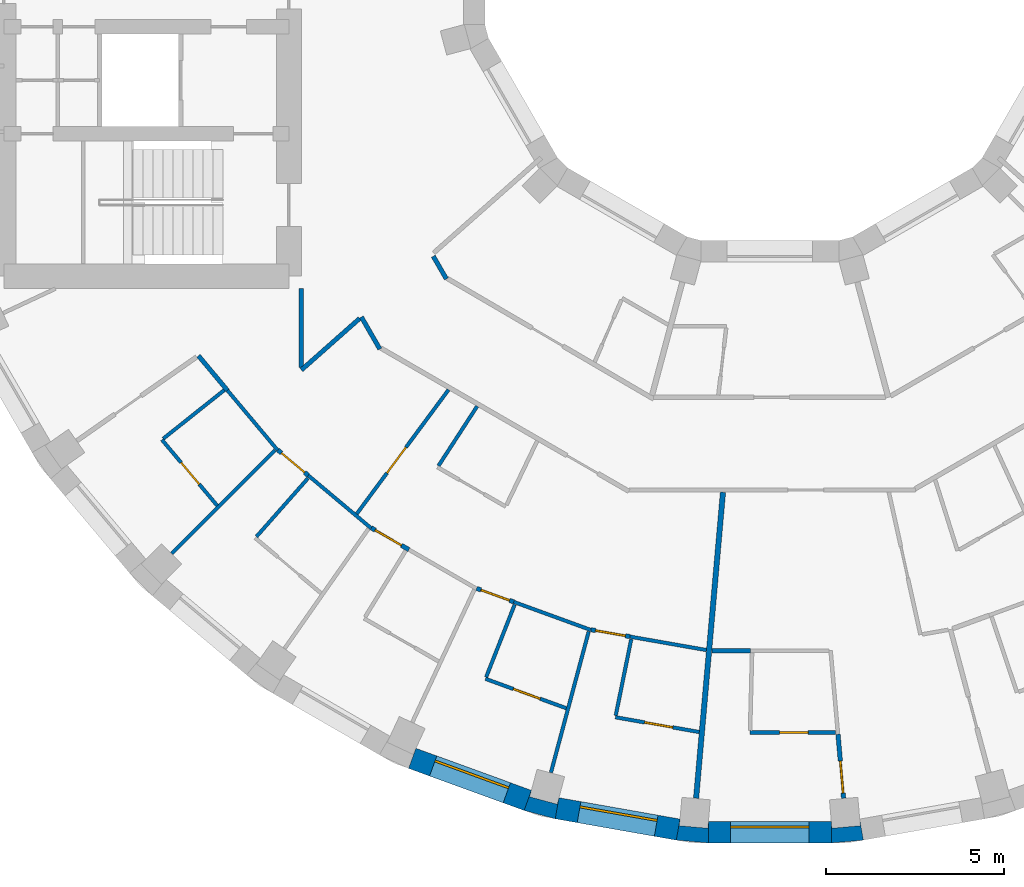
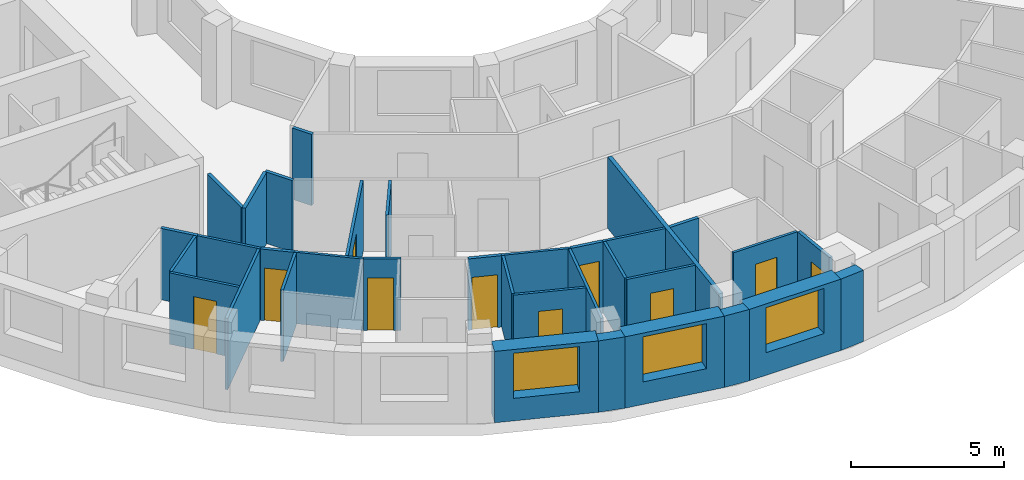
# One storey, part 4 of 14: 34 walls, 10 doors, 3 windows, 13 openings.
"""IFC4 building model written with IfcOpenShell, lengths in metres."""

from ifc_helpers import new_model, si_unit, direction, frame, frame_2d, origin, place, context, subcontext, project, spatial, polyline, rectangle, outline, extrude, material, layer, layer_set, type_object, element, fill, save


model = new_model("IFC4")

# Units and contexts
model_context = context("Model", 3, precision=1e-05, world=origin(), true_north=direction((0.0, 1.0)))
body_context = subcontext(model_context, "Body", "Model", "MODEL_VIEW")
ifc_project = project(units=[si_unit("LENGTHUNIT", "METRE"), si_unit("AREAUNIT", "SQUARE_METRE"), si_unit("VOLUMEUNIT", "CUBIC_METRE"), si_unit("PLANEANGLEUNIT", "RADIAN"), si_unit("MASSUNIT", "GRAM", prefix="KILO")], contexts=[model_context])

# Site, building, storey
site_placement = place(None, origin())
site = spatial("IfcSite", under=ifc_project, at=site_placement, CompositionType="ELEMENT")
building_placement = place(site_placement, origin())
building = spatial("IfcBuilding", under=site, at=building_placement, Name="Saqina Gate Tower", CompositionType="ELEMENT")
storey_placement = place(building_placement, frame((0.0, 0.0, 213.60009765625)))
storey = spatial("IfcBuildingStorey", under=building, at=storey_placement, Name="L61", CompositionType="ELEMENT", Elevation=213.60009765625)

# Walls
ifc_material_1 = material(Name="Brick masonry (buff)", Category="masonry")
wall_type_1 = type_object("IfcWallType", Name="BRICK PIER COPING BUFF", PredefinedType="SOLIDWALL", material=ifc_material_1)
wall_1_placement = place(storey_placement, origin())
element("IfcWall", 1, at=wall_1_placement, inside=storey, type_object=wall_type_1, Name="Pier cap L61 column 26", PredefinedType="SOLIDWALL", context=body_context, shape_type="SweptSolid", body=[
    extrude(outline(polyline([(-6.0234375, -24.22705078125), (-5.919189453125, -23.635986328125), (-5.967529296875, -23.81689453125), (-6.740478515625, -23.610107421875), (-6.69189453125, -23.428955078125), (-6.897216796875, -23.992919921875), (-6.0234375, -24.22705078125)])), origin(), (0.0, 0.0, 1.0), 2.849853515625),
])
wall_2_placement = place(storey_placement, origin())
element("IfcWall", 2, at=wall_2_placement, inside=storey, type_object=wall_type_1, Name="Pier cap L61 column 27", PredefinedType="SOLIDWALL", context=body_context, shape_type="SweptSolid", body=[
    extrude(outline(polyline([(-2.6259765625, -24.825927734375), (-1.724853515625, -24.90478515625), (-1.724853515625, -24.304931640625), (-1.7412109375, -24.491455078125), (-2.5380859375, -24.421630859375), (-2.521728515625, -24.235107421875), (-2.6259765625, -24.825927734375)])), origin(), (0.0, 0.0, 1.0), 2.849853515625),
])
wall_3_placement = place(storey_placement, origin())
element("IfcWall", 3, at=wall_3_placement, inside=storey, type_object=wall_type_1, Name="Pier cap L61 column 28", PredefinedType="SOLIDWALL", context=body_context, shape_type="SweptSolid", body=[
    extrude(outline(polyline([(1.724853515625, -24.90478515625), (2.6259765625, -24.825927734375), (2.521728515625, -24.235107421875), (2.5380859375, -24.421630859375), (1.7412109375, -24.491455078125), (1.724853515625, -24.304931640625), (1.724853515625, -24.90478515625)])), origin(), (0.0, 0.0, 1.0), 2.849853515625),
])

# Wall, opening, window
ifc_material_2 = material(Name="Brick masonry (buff)", Category="masonry")
ifc_layer_1 = layer(ifc_material_2, 0.60009765625)
ifc_layer_set_1 = layer_set([ifc_layer_1], Name="FW-BRICK-BUFF")
wall_type_2 = type_object("IfcWallType", Name="FW-BRICK-BUFF", PredefinedType="SOLIDWALL", material=ifc_layer_set_1)
wall_4_placement = place(storey_placement, frame((-10.0361328125, -22.531005859375, 0.0), z_axis=(0.0, 0.0, 1.0), x_axis=(0.93968799822, -0.342032843455, 0.0)))
wall_4 = element("IfcWall", 4, at=wall_4_placement, inside=storey, type_object=wall_type_2, Name="Facade wall L61 facet 25", PredefinedType="SOLIDWALL", context=body_context, shape_type="SweptSolid", body=[
    extrude(rectangle(XDim=3.44970703125, YDim=0.60009765625, at=frame_2d((1.724853515625, 0.0))), origin(), (0.0, 0.0, 1.0), 2.849853515625),
])
opening_1_placement = place(wall_4_placement, frame((0.625, 0.0, 0.89990234375)))
opening_1 = element("IfcOpeningElement", 5, at=opening_1_placement, cuts=wall_4, Name="Opening G18-W14", PredefinedType="OPENING", context=body_context, shape_type="SweptSolid", body=[
    extrude(rectangle(XDim=2.199951171875, YDim=1.800048828125, at=frame_2d((1.10009765625, 0.89990234375))), frame((0.0, 0.31201171875, 0.0), z_axis=(0.0, -1.0, 0.0), x_axis=(1.0, 0.0, 0.0)), (0.0, 0.0, 1.0), 0.6240234375),
])
ifc_material_3 = material(Name="Aluminium glazing", Category="aluminium")
window_type = type_object("IfcWindowType", Name="WN-C", PartitioningType="SINGLE_PANEL", PredefinedType="WINDOW", material=ifc_material_3)
window_1_placement = place(opening_1_placement, origin())
window_1 = element("IfcWindow", 6, at=window_1_placement, inside=storey, type_object=window_type, Name="Window L61 facet 25", OverallHeight=1.800048828125, OverallWidth=2.199951171875, PartitioningType="SINGLE_PANEL", PredefinedType="WINDOW", context=body_context, shape_type="SweptSolid", body=[
    extrude(rectangle(XDim=2.199951171875, YDim=1.800048828125, at=frame_2d((1.10009765625, 0.89990234375))), frame((0.0, 0.179931640625, 0.0), z_axis=(0.0, -1.0, 0.0), x_axis=(1.0, 0.0, 0.0)), (0.0, 0.0, 1.0), 0.06005859375),
])
fill(opening_1, window_1)

wall_5_placement = place(storey_placement, frame((-5.97119140625, -23.931640625, 0.0), z_axis=(0.0, 0.0, 1.0), x_axis=(0.984814892183, -0.173607684551, 0.0)))
wall_5 = element("IfcWall", 7, at=wall_5_placement, inside=storey, type_object=wall_type_2, Name="Facade wall L61 facet 26", PredefinedType="SOLIDWALL", context=body_context, shape_type="SweptSolid", body=[
    extrude(rectangle(XDim=3.44970703125, YDim=0.60009765625, at=frame_2d((1.724853515625, 0.0))), origin(), (0.0, 0.0, 1.0), 2.849853515625),
])
opening_2_placement = place(wall_5_placement, frame((0.625, 0.0, 0.89990234375)))
opening_2 = element("IfcOpeningElement", 8, at=opening_2_placement, cuts=wall_5, Name="Opening G18-W15", PredefinedType="OPENING", context=body_context, shape_type="SweptSolid", body=[
    extrude(rectangle(XDim=2.199951171875, YDim=1.800048828125, at=frame_2d((1.10009765625, 0.89990234375))), frame((0.0, 0.31201171875, 0.0), z_axis=(0.0, -1.0, 0.0), x_axis=(1.0, 0.0, 0.0)), (0.0, 0.0, 1.0), 0.6240234375),
])
window_2_placement = place(opening_2_placement, origin())
window_2 = element("IfcWindow", 9, at=window_2_placement, inside=storey, type_object=window_type, Name="Window L61 facet 26", OverallHeight=1.800048828125, OverallWidth=2.199951171875, PartitioningType="SINGLE_PANEL", PredefinedType="WINDOW", context=body_context, shape_type="SweptSolid", body=[
    extrude(rectangle(XDim=2.199951171875, YDim=1.800048828125, at=frame_2d((1.10009765625, 0.89990234375))), frame((0.0, 0.179931640625, 0.0), z_axis=(0.0, -1.0, 0.0), x_axis=(1.0, 0.0, 0.0)), (0.0, 0.0, 1.0), 0.06005859375),
])
fill(opening_2, window_2)

wall_6_placement = place(storey_placement, frame((-1.724853515625, -24.60498046875, 0.0), z_axis=(0.0, 0.0, 1.0), x_axis=(1.0, 0.0, 0.0)))
wall_6 = element("IfcWall", 10, at=wall_6_placement, inside=storey, type_object=wall_type_2, Name="Facade wall L61 facet 27", PredefinedType="SOLIDWALL", context=body_context, shape_type="SweptSolid", body=[
    extrude(rectangle(XDim=3.44970703125, YDim=0.60009765625, at=frame_2d((1.724853515625, 0.0))), origin(), (0.0, 0.0, 1.0), 2.849853515625),
])
opening_3_placement = place(wall_6_placement, frame((0.625, 0.0, 0.89990234375)))
opening_3 = element("IfcOpeningElement", 11, at=opening_3_placement, cuts=wall_6, Name="Opening G18-W16", PredefinedType="OPENING", context=body_context, shape_type="SweptSolid", body=[
    extrude(rectangle(XDim=2.199951171875, YDim=1.800048828125, at=frame_2d((1.10009765625, 0.89990234375))), frame((0.0, 0.31201171875, 0.0), z_axis=(0.0, -1.0, 0.0), x_axis=(1.0, 0.0, 0.0)), (0.0, 0.0, 1.0), 0.6240234375),
])
window_3_placement = place(opening_3_placement, origin())
window_3 = element("IfcWindow", 12, at=window_3_placement, inside=storey, type_object=window_type, Name="Window L61 facet 27", OverallHeight=1.800048828125, OverallWidth=2.199951171875, PartitioningType="SINGLE_PANEL", PredefinedType="WINDOW", context=body_context, shape_type="SweptSolid", body=[
    extrude(rectangle(XDim=2.199951171875, YDim=1.800048828125, at=frame_2d((1.10009765625, 0.89990234375))), frame((0.0, 0.179931640625, 0.0), z_axis=(0.0, -1.0, 0.0), x_axis=(1.0, 0.0, 0.0)), (0.0, 0.0, 1.0), 0.06005859375),
])
fill(opening_3, window_3)

# Wall, opening, door
ifc_material_4 = material(Name="Gypsum board on steel studs, 100 mm", Category="steel")
ifc_layer_2 = layer(ifc_material_4, 0.10009765625)
ifc_layer_set_2 = layer_set([ifc_layer_2], Name="PARTITION 100")
wall_type_3 = type_object("IfcWallType", Name="PARTITION 100", PredefinedType="PARTITIONING", material=ifc_layer_set_2)
wall_7_placement = place(storey_placement, frame((-17.06103515625, -13.589111328125, 0.0), z_axis=(0.0, 0.0, 1.0), x_axis=(0.642786493814, -0.766045379446, 0.0)))
wall_7 = element("IfcWall", 13, at=wall_7_placement, inside=storey, type_object=wall_type_3, Name="PARTITION PW3-15", PredefinedType="PARTITIONING", context=body_context, shape_type="SweptSolid", body=[
    extrude(rectangle(XDim=2.41455078125, YDim=0.10009765625, at=frame_2d((1.207275390625, 0.0))), origin(), (0.0, 0.0, 1.0), 2.849853515625),
])
opening_4_placement = place(wall_7_placement, frame((0.832275390625, 0.0, 0.0)))
opening_4 = element("IfcOpeningElement", 14, at=opening_4_placement, cuts=wall_7, Name="Opening G18-D27", PredefinedType="OPENING", context=body_context, shape_type="SweptSolid", body=[
    extrude(rectangle(XDim=0.800048828125, YDim=2.10009765625, at=frame_2d((0.39990234375, 1.050048828125))), frame((0.0, 0.06201171875, 0.0), z_axis=(0.0, -1.0, 0.0), x_axis=(1.0, 0.0, 0.0)), (0.0, 0.0, 1.0), 0.1240234375),
])
ifc_material_5 = material(Name="Timber door leaf, 800 mm", Category="wood")
door_type_1 = type_object("IfcDoorType", Name="DOOR 800 TIMBER", OperationType="SINGLE_SWING_LEFT", PredefinedType="DOOR", material=ifc_material_5)
door_1_placement = place(opening_4_placement, frame((0.800048828125, 0.0, 0.0), z_axis=(0.0, 0.0, 1.0), x_axis=(-1.0, 0.0, 0.0)))
door_1 = element("IfcDoor", 15, at=door_1_placement, inside=storey, type_object=door_type_1, Name="DOOR G18-D27", OperationType="SINGLE_SWING_LEFT", OverallHeight=2.10009765625, OverallWidth=0.800048828125, PredefinedType="DOOR", context=body_context, shape_type="SweptSolid", body=[
    extrude(rectangle(XDim=0.800048828125, YDim=2.10009765625, at=frame_2d((0.39990234375, 1.050048828125))), frame((0.0, 0.02490234375, 0.0), z_axis=(0.0, -1.0, 0.0), x_axis=(1.0, 0.0, 0.0)), (0.0, 0.0, 1.0), 0.050048828125),
])
fill(opening_4, door_1)

# Walls
wall_8_placement = place(storey_placement, frame((-15.221923828125, -12.203857421875, 0.0), z_axis=(0.0, 0.0, 1.0), x_axis=(0.642719704672, -0.766101417063, 0.0)))
element("IfcWall", 16, at=wall_8_placement, inside=storey, type_object=wall_type_3, Name="PARTITION PW3-16", PredefinedType="PARTITIONING", context=body_context, shape_type="SweptSolid", body=[
    extrude(rectangle(XDim=2.1943359375, YDim=0.10009765625, at=frame_2d((1.09716796875, 0.0))), origin(), (0.0, 0.0, 1.0), 2.849853515625),
])
wall_9_placement = place(storey_placement, frame((-12.957275390625, -14.5888671875, 0.0), z_axis=(0.0, 0.0, 1.0), x_axis=(0.766099024104, -0.642722556993, 0.0)))
element("IfcWall", 17, at=wall_9_placement, inside=storey, type_object=wall_type_3, Name="PARTITION PW3-22", PredefinedType="PARTITIONING", context=body_context, shape_type="SweptSolid", body=[
    extrude(rectangle(XDim=2.305419921875, YDim=0.10009765625, at=frame_2d((1.15283203125, 0.0))), origin(), (0.0, 0.0, 1.0), 2.849853515625),
])

# Wall, opening, door
wall_10_placement = place(storey_placement, frame((-7.98095703125, -20.299072265625, 0.0), z_axis=(0.0, 0.0, 1.0), x_axis=(0.939692991858, -0.342019123812, 0.0)))
wall_10 = element("IfcWall", 18, at=wall_10_placement, inside=storey, type_object=wall_type_3, Name="PARTITION PW3-34", PredefinedType="PARTITIONING", context=body_context, shape_type="SweptSolid", body=[
    extrude(rectangle(XDim=2.4140625, YDim=0.10009765625, at=frame_2d((1.20703125, 0.0))), origin(), (0.0, 0.0, 1.0), 2.849853515625),
])
opening_5_placement = place(wall_10_placement, frame((0.832275390625, 0.0, 0.0)))
opening_5 = element("IfcOpeningElement", 19, at=opening_5_placement, cuts=wall_10, Name="Opening G18-D38", PredefinedType="OPENING", context=body_context, shape_type="SweptSolid", body=[
    extrude(rectangle(XDim=0.800048828125, YDim=2.10009765625, at=frame_2d((0.39990234375, 1.050048828125))), frame((0.0, 0.06201171875, 0.0), z_axis=(0.0, -1.0, 0.0), x_axis=(1.0, 0.0, 0.0)), (0.0, 0.0, 1.0), 0.1240234375),
])
door_2_placement = place(opening_5_placement, frame((0.800048828125, 0.0, 0.0), z_axis=(0.0, 0.0, 1.0), x_axis=(-1.0, 0.0, 0.0)))
door_2 = element("IfcDoor", 20, at=door_2_placement, inside=storey, type_object=door_type_1, Name="DOOR G18-D38", OperationType="SINGLE_SWING_LEFT", OverallHeight=2.10009765625, OverallWidth=0.800048828125, PredefinedType="DOOR", context=body_context, shape_type="SweptSolid", body=[
    extrude(rectangle(XDim=0.800048828125, YDim=2.10009765625, at=frame_2d((0.39990234375, 1.050048828125))), frame((0.0, 0.02490234375, 0.0), z_axis=(0.0, -1.0, 0.0), x_axis=(1.0, 0.0, 0.0)), (0.0, 0.0, 1.0), 0.050048828125),
])
fill(opening_5, door_2)

# Wall
wall_11_placement = place(storey_placement, frame((-7.18603515625, -18.140869140625, 0.0), z_axis=(0.0, 0.0, 1.0), x_axis=(0.939651079277, -0.342134256123, 0.0)))
element("IfcWall", 21, at=wall_11_placement, inside=storey, type_object=wall_type_3, Name="PARTITION PW3-35", PredefinedType="PARTITIONING", context=body_context, shape_type="SweptSolid", body=[
    extrude(rectangle(XDim=2.304931640625, YDim=0.10009765625, at=frame_2d((1.15234375, 0.0))), origin(), (0.0, 0.0, 1.0), 2.849853515625),
])

# Wall, opening, door
wall_12_placement = place(storey_placement, frame((-4.3349609375, -21.376953125, 0.0), z_axis=(0.0, 0.0, 1.0), x_axis=(0.984797956456, -0.173703727534, 0.0)))
wall_12 = element("IfcWall", 22, at=wall_12_placement, inside=storey, type_object=wall_type_3, Name="PARTITION PW3-38", PredefinedType="PARTITIONING", context=body_context, shape_type="SweptSolid", body=[
    extrude(rectangle(XDim=2.389404296875, YDim=0.10009765625, at=frame_2d((1.19482421875, 0.0))), origin(), (0.0, 0.0, 1.0), 2.849853515625),
])
opening_6_placement = place(wall_12_placement, frame((0.832275390625, 0.0, 0.0)))
opening_6 = element("IfcOpeningElement", 23, at=opening_6_placement, cuts=wall_12, Name="Opening G18-D40", PredefinedType="OPENING", context=body_context, shape_type="SweptSolid", body=[
    extrude(rectangle(XDim=0.800048828125, YDim=2.10009765625, at=frame_2d((0.39990234375, 1.050048828125))), frame((0.0, 0.06201171875, 0.0), z_axis=(0.0, -1.0, 0.0), x_axis=(1.0, 0.0, 0.0)), (0.0, 0.0, 1.0), 0.1240234375),
])
door_3_placement = place(opening_6_placement, frame((0.800048828125, 0.0, 0.0), z_axis=(0.0, 0.0, 1.0), x_axis=(-1.0, 0.0, 0.0)))
door_3 = element("IfcDoor", 24, at=door_3_placement, inside=storey, type_object=door_type_1, Name="DOOR G18-D40", OperationType="SINGLE_SWING_LEFT", OverallHeight=2.10009765625, OverallWidth=0.800048828125, PredefinedType="DOOR", context=body_context, shape_type="SweptSolid", body=[
    extrude(rectangle(XDim=0.800048828125, YDim=2.10009765625, at=frame_2d((0.39990234375, 1.050048828125))), frame((0.0, 0.02490234375, 0.0), z_axis=(0.0, -1.0, 0.0), x_axis=(1.0, 0.0, 0.0)), (0.0, 0.0, 1.0), 0.050048828125),
])
fill(opening_6, door_3)

# Wall
wall_13_placement = place(storey_placement, frame((-3.926513671875, -19.11474609375, 0.0), z_axis=(0.0, 0.0, 1.0), x_axis=(0.984911838823, -0.173056839643, 0.0)))
element("IfcWall", 25, at=wall_13_placement, inside=storey, type_object=wall_type_3, Name="PARTITION PW3-39", PredefinedType="PARTITIONING", context=body_context, shape_type="SweptSolid", body=[
    extrude(rectangle(XDim=2.1796875, YDim=0.10009765625, at=frame_2d((1.08984375, 0.0))), origin(), (0.0, 0.0, 1.0), 2.849853515625),
])

# Wall, opening, door
wall_14_placement = place(storey_placement, frame((-0.556884765625, -21.804931640625, 0.0), z_axis=(0.0, 0.0, 1.0), x_axis=(1.0, 0.0, 0.0)))
wall_14 = element("IfcWall", 26, at=wall_14_placement, inside=storey, type_object=wall_type_3, Name="PARTITION PW3-42", PredefinedType="PARTITIONING", context=body_context, shape_type="SweptSolid", body=[
    extrude(rectangle(XDim=2.40234375, YDim=0.10009765625, at=frame_2d((1.201171875, 0.0))), origin(), (0.0, 0.0, 1.0), 2.849853515625),
])
opening_7_placement = place(wall_14_placement, frame((0.83251953125, 0.0, 0.0)))
opening_7 = element("IfcOpeningElement", 27, at=opening_7_placement, cuts=wall_14, Name="Opening G18-D43", PredefinedType="OPENING", context=body_context, shape_type="SweptSolid", body=[
    extrude(rectangle(XDim=0.800048828125, YDim=2.10009765625, at=frame_2d((0.39990234375, 1.050048828125))), frame((0.0, 0.06201171875, 0.0), z_axis=(0.0, -1.0, 0.0), x_axis=(1.0, 0.0, 0.0)), (0.0, 0.0, 1.0), 0.1240234375),
])
door_4_placement = place(opening_7_placement, frame((0.800048828125, 0.0, 0.0), z_axis=(0.0, 0.0, 1.0), x_axis=(-1.0, 0.0, 0.0)))
door_4 = element("IfcDoor", 28, at=door_4_placement, inside=storey, type_object=door_type_1, Name="DOOR G18-D43", OperationType="SINGLE_SWING_LEFT", OverallHeight=2.10009765625, OverallWidth=0.800048828125, PredefinedType="DOOR", context=body_context, shape_type="SweptSolid", body=[
    extrude(rectangle(XDim=0.800048828125, YDim=2.10009765625, at=frame_2d((0.39990234375, 1.050048828125))), frame((0.0, 0.02490234375, 0.0), z_axis=(0.0, -1.0, 0.0), x_axis=(1.0, 0.0, 0.0)), (0.0, 0.0, 1.0), 0.050048828125),
])
fill(opening_7, door_4)

# Walls
wall_15_placement = place(storey_placement, frame((-17.02197265625, -13.557861328125, 0.0), z_axis=(0.0, 0.0, 1.0), x_axis=(0.782195530376, 0.623033026621, 0.0)))
element("IfcWall", 29, at=wall_15_placement, inside=storey, type_object=wall_type_3, Name="PARTITION PW3-61", PredefinedType="PARTITIONING", context=body_context, shape_type="SweptSolid", body=[
    extrude(rectangle(XDim=2.187255859375, YDim=0.10009765625, at=frame_2d((1.09375, 0.0))), origin(), (0.0, 0.0, 1.0), 2.849853515625),
])
wall_16_placement = place(storey_placement, frame((-16.78662109375, -16.78662109375, 0.0), z_axis=(0.0, 0.0, 1.0), x_axis=(0.707106781187, 0.707106781187, 0.0)))
element("IfcWall", 30, at=wall_16_placement, inside=storey, type_object=wall_type_3, Name="PARTITION PW3-65", PredefinedType="PARTITIONING", context=body_context, shape_type="SweptSolid", body=[
    extrude(rectangle(XDim=4.09765625, YDim=0.10009765625, at=frame_2d((2.048828125, 0.0))), origin(), (0.0, 0.0, 1.0), 2.849853515625),
])
wall_17_placement = place(storey_placement, frame((-14.408935546875, -16.30859375, 0.0), z_axis=(0.0, 0.0, 1.0), x_axis=(0.661846667472, 0.749639239072, 0.0)))
element("IfcWall", 31, at=wall_17_placement, inside=storey, type_object=wall_type_3, Name="PARTITION PW3-69", PredefinedType="PARTITIONING", context=body_context, shape_type="SweptSolid", body=[
    extrude(rectangle(XDim=2.1884765625, YDim=0.10009765625, at=frame_2d((1.09423828125, 0.0))), origin(), (0.0, 0.0, 1.0), 2.849853515625),
])

# Wall, opening, door
wall_18_placement = place(storey_placement, frame((-11.592529296875, -15.666748046875, 0.0), z_axis=(0.0, 0.0, 1.0), x_axis=(0.594790535758, 0.803880724096, 0.0)))
wall_18 = element("IfcWall", 32, at=wall_18_placement, inside=storey, type_object=wall_type_3, Name="PARTITION PW3-71", PredefinedType="PARTITIONING", context=body_context, shape_type="SweptSolid", body=[
    extrude(rectangle(XDim=4.32958984375, YDim=0.10009765625, at=frame_2d((2.164794921875, 0.0))), origin(), (0.0, 0.0, 1.0), 2.849853515625),
])
opening_8_placement = place(wall_18_placement, frame((1.421142578125, 0.0, 0.0)))
opening_8 = element("IfcOpeningElement", 33, at=opening_8_placement, cuts=wall_18, Name="Opening G18-D30", PredefinedType="OPENING", context=body_context, shape_type="SweptSolid", body=[
    extrude(rectangle(XDim=0.89990234375, YDim=2.10009765625, at=frame_2d((0.449951171875, 1.050048828125))), frame((0.0, 0.06201171875, 0.0), z_axis=(0.0, -1.0, 0.0), x_axis=(1.0, 0.0, 0.0)), (0.0, 0.0, 1.0), 0.1240234375),
])
ifc_material_6 = material(Name="Timber door leaf, 900 mm", Category="wood")
door_type_2 = type_object("IfcDoorType", Name="DOOR 900 TIMBER", OperationType="SINGLE_SWING_LEFT", PredefinedType="DOOR", material=ifc_material_6)
door_5_placement = place(opening_8_placement, origin())
door_5 = element("IfcDoor", 34, at=door_5_placement, inside=storey, type_object=door_type_2, Name="DOOR G18-D30", OperationType="SINGLE_SWING_LEFT", OverallHeight=2.10009765625, OverallWidth=0.89990234375, PredefinedType="DOOR", context=body_context, shape_type="SweptSolid", body=[
    extrude(rectangle(XDim=0.89990234375, YDim=2.10009765625, at=frame_2d((0.449951171875, 1.050048828125))), frame((0.0, 0.02490234375, 0.0), z_axis=(0.0, -1.0, 0.0), x_axis=(1.0, 0.0, 0.0)), (0.0, 0.0, 1.0), 0.050048828125),
])
fill(opening_8, door_5)

# Walls
wall_19_placement = place(storey_placement, frame((-9.298828125, -14.319091796875, 0.0), z_axis=(0.0, 0.0, 1.0), x_axis=(0.544496746538, 0.838762954004, 0.0)))
element("IfcWall", 35, at=wall_19_placement, inside=storey, type_object=wall_type_3, Name="PARTITION PW3-74", PredefinedType="PARTITIONING", context=body_context, shape_type="SweptSolid", body=[
    extrude(rectangle(XDim=1.990234375, YDim=0.10009765625, at=frame_2d((0.9951171875, 0.0))), origin(), (0.0, 0.0, 1.0), 2.849853515625),
])
wall_20_placement = place(storey_placement, frame((-7.962646484375, -20.25244140625, 0.0), z_axis=(0.0, 0.0, 1.0), x_axis=(0.365959579046, 0.930630746593, 0.0)))
element("IfcWall", 36, at=wall_20_placement, inside=storey, type_object=wall_type_3, Name="PARTITION PW3-82", PredefinedType="PARTITIONING", context=body_context, shape_type="SweptSolid", body=[
    extrude(rectangle(XDim=2.188232421875, YDim=0.10009765625, at=frame_2d((1.09423828125, 0.0))), origin(), (0.0, 0.0, 1.0), 2.849853515625),
])
wall_21_placement = place(storey_placement, frame((-6.14404296875, -22.93115234375, 0.0), z_axis=(0.0, 0.0, 1.0), x_axis=(0.258608038295, 0.965982340692, 0.0)))
element("IfcWall", 37, at=wall_21_placement, inside=storey, type_object=wall_type_3, Name="PARTITION PW3-86", PredefinedType="PARTITIONING", context=body_context, shape_type="SweptSolid", body=[
    extrude(rectangle(XDim=4.09814453125, YDim=0.10009765625, at=frame_2d((2.049072265625, 0.0))), origin(), (0.0, 0.0, 1.0), 2.849853515625),
])
wall_22_placement = place(storey_placement, frame((-4.324951171875, -21.327880859375, 0.0), z_axis=(0.0, 0.0, 1.0), x_axis=(0.199033137994, 0.979992760167, 0.0)))
element("IfcWall", 38, at=wall_22_placement, inside=storey, type_object=wall_type_3, Name="PARTITION PW3-88", PredefinedType="PARTITIONING", context=body_context, shape_type="SweptSolid", body=[
    extrude(rectangle(XDim=2.188232421875, YDim=0.10009765625, at=frame_2d((1.09423828125, 0.0))), origin(), (0.0, 0.0, 1.0), 2.849853515625),
])

# Wall, opening, door
ifc_material_7 = material(Name="Gypsum board on steel studs, 125 mm, fire rated", Category="steel")
ifc_layer_3 = layer(ifc_material_7, 0.125)
ifc_layer_set_3 = layer_set([ifc_layer_3], Name="PARTITION EI 30 125")
wall_type_4 = type_object("IfcWallType", Name="PARTITION EI 30 125", PredefinedType="PARTITIONING", material=ifc_layer_set_3)
wall_23_placement = place(storey_placement, frame((1.912353515625, -21.854736328125, 0.0), z_axis=(0.0, 0.0, 1.0), x_axis=(0.08726107822, -0.99618547682, 0.0)))
wall_23 = element("IfcWall", 39, at=wall_23_placement, inside=storey, type_object=wall_type_4, Name="PARTITION PW1-02", PredefinedType="PARTITIONING", context=body_context, shape_type="SweptSolid", body=[
    extrude(rectangle(XDim=1.8017578125, YDim=0.125, at=frame_2d((0.90087890625, 0.0))), origin(), (0.0, 0.0, 1.0), 2.849853515625),
])
opening_9_placement = place(wall_23_placement, frame((0.754150390625, 0.0, 0.0)))
opening_9 = element("IfcOpeningElement", 40, at=opening_9_placement, cuts=wall_23, Name="Opening G18-D45", PredefinedType="OPENING", context=body_context, shape_type="SweptSolid", body=[
    extrude(rectangle(XDim=0.89990234375, YDim=2.10009765625, at=frame_2d((0.449951171875, 1.050048828125))), frame((0.0, 0.074462890625, 0.0), z_axis=(0.0, -1.0, 0.0), x_axis=(1.0, 0.0, 0.0)), (0.0, 0.0, 1.0), 0.14892578125),
])
ifc_material_8 = material(Name="Fire door leaf EI 30, 900 mm")
door_type_3 = type_object("IfcDoorType", Name="DOOR 900 EI 30", OperationType="SINGLE_SWING_LEFT", PredefinedType="DOOR", material=ifc_material_8)
door_6_placement = place(opening_9_placement, origin())
door_6 = element("IfcDoor", 41, at=door_6_placement, inside=storey, type_object=door_type_3, Name="DOOR G18-D45", OperationType="SINGLE_SWING_RIGHT", OverallHeight=2.10009765625, OverallWidth=0.89990234375, PredefinedType="DOOR", context=body_context, shape_type="SweptSolid", body=[
    extrude(rectangle(XDim=0.89990234375, YDim=2.10009765625, at=frame_2d((0.449951171875, 1.050048828125))), frame((0.0, 0.02490234375, 0.0), z_axis=(0.0, -1.0, 0.0), x_axis=(1.0, 0.0, 0.0)), (0.0, 0.0, 1.0), 0.050048828125),
])
fill(opening_9, door_6)

# Walls
wall_24_placement = place(storey_placement, frame((-11.464111328125, -10.143798828125, 0.0), z_axis=(0.0, 0.0, 1.0), x_axis=(0.49896979131, -0.866619378597, 0.0)))
element("IfcWall", 42, at=wall_24_placement, inside=storey, type_object=wall_type_4, Name="PARTITION PW1-04", PredefinedType="PARTITIONING", context=body_context, shape_type="SweptSolid", body=[
    extrude(rectangle(XDim=1.039306640625, YDim=0.125, at=frame_2d((0.51953125, 0.0))), origin(), (0.0, 0.0, 1.0), 2.849853515625),
])
wall_25_placement = place(storey_placement, frame((-9.44580078125, -8.439208984375, 0.0), z_axis=(0.0, 0.0, 1.0), x_axis=(0.500735785949, -0.865600180609, 0.0)))
element("IfcWall", 43, at=wall_25_placement, inside=storey, type_object=wall_type_4, Name="PARTITION PW1-06", PredefinedType="PARTITIONING", context=body_context, shape_type="SweptSolid", body=[
    extrude(rectangle(XDim=0.73681640625, YDim=0.125, at=frame_2d((0.368408203125, 0.0))), origin(), (0.0, 0.0, 1.0), 2.849853515625),
])
wall_26_placement = place(storey_placement, frame((-16.0361328125, -11.23193359375, 0.0), z_axis=(0.0, 0.0, 1.0), x_axis=(0.641754990355, -0.766909728948, 0.0)))
element("IfcWall", 44, at=wall_26_placement, inside=storey, type_object=wall_type_4, Name="PARTITION PW1-08", PredefinedType="PARTITIONING", context=body_context, shape_type="SweptSolid", body=[
    extrude(rectangle(XDim=1.26806640625, YDim=0.125, at=frame_2d((0.634033203125, 0.0))), origin(), (0.0, 0.0, 1.0), 2.849853515625),
])

# Wall, opening, door
wall_27_placement = place(storey_placement, frame((-13.8056640625, -13.8779296875, 0.0), z_axis=(0.0, 0.0, 1.0), x_axis=(0.766464721633, -0.642286408459, 0.0)))
wall_27 = element("IfcWall", 45, at=wall_27_placement, inside=storey, type_object=wall_type_4, Name="PARTITION PW1-15", PredefinedType="PARTITIONING", context=body_context, shape_type="SweptSolid", body=[
    extrude(rectangle(XDim=1.10693359375, YDim=0.125, at=frame_2d((0.553466796875, 0.0))), origin(), (0.0, 0.0, 1.0), 2.849853515625),
])
opening_10_placement = place(wall_27_placement, frame((0.12841796875, 0.0, 0.0)))
opening_10 = element("IfcOpeningElement", 46, at=opening_10_placement, cuts=wall_27, Name="Opening G18-D28", PredefinedType="OPENING", context=body_context, shape_type="SweptSolid", body=[
    extrude(rectangle(XDim=0.85009765625, YDim=2.10009765625, at=frame_2d((0.425048828125, 1.050048828125))), frame((0.0, 0.074462890625, 0.0), z_axis=(0.0, -1.0, 0.0), x_axis=(1.0, 0.0, 0.0)), (0.0, 0.0, 1.0), 0.14892578125),
])
ifc_material_9 = material(Name="Fire door leaf EI 30, 850 mm")
door_type_4 = type_object("IfcDoorType", Name="DOOR 850 EI 30", OperationType="SINGLE_SWING_LEFT", PredefinedType="DOOR", material=ifc_material_9)
door_7_placement = place(opening_10_placement, origin())
door_7 = element("IfcDoor", 47, at=door_7_placement, inside=storey, type_object=door_type_4, Name="DOOR G18-D28", OperationType="SINGLE_SWING_LEFT", OverallHeight=2.10009765625, OverallWidth=0.85009765625, PredefinedType="DOOR", context=body_context, shape_type="SweptSolid", body=[
    extrude(rectangle(XDim=0.85009765625, YDim=2.10009765625, at=frame_2d((0.425048828125, 1.050048828125))), frame((0.0, 0.02490234375, 0.0), z_axis=(0.0, -1.0, 0.0), x_axis=(1.0, 0.0, 0.0)), (0.0, 0.0, 1.0), 0.050048828125),
])
fill(opening_10, door_7)

wall_28_placement = place(storey_placement, frame((-11.186279296875, -16.062255859375, 0.0), z_axis=(0.0, 0.0, 1.0), x_axis=(0.865261949816, -0.501320015759, 0.0)))
wall_28 = element("IfcWall", 48, at=wall_28_placement, inside=storey, type_object=wall_type_4, Name="PARTITION PW1-18", PredefinedType="PARTITIONING", context=body_context, shape_type="SweptSolid", body=[
    extrude(rectangle(XDim=1.220947265625, YDim=0.125, at=frame_2d((0.6103515625, 0.0))), origin(), (0.0, 0.0, 1.0), 2.849853515625),
])
opening_11_placement = place(wall_28_placement, frame((0.129150390625, 0.0, 0.0)))
opening_11 = element("IfcOpeningElement", 49, at=opening_11_placement, cuts=wall_28, Name="Opening G18-D31", PredefinedType="OPENING", context=body_context, shape_type="SweptSolid", body=[
    extrude(rectangle(XDim=0.85009765625, YDim=2.10009765625, at=frame_2d((0.425048828125, 1.050048828125))), frame((0.0, 0.074462890625, 0.0), z_axis=(0.0, -1.0, 0.0), x_axis=(1.0, 0.0, 0.0)), (0.0, 0.0, 1.0), 0.14892578125),
])
door_8_placement = place(opening_11_placement, origin())
door_8 = element("IfcDoor", 50, at=door_8_placement, inside=storey, type_object=door_type_4, Name="DOOR G18-D31", OperationType="SINGLE_SWING_LEFT", OverallHeight=2.10009765625, OverallWidth=0.85009765625, PredefinedType="DOOR", context=body_context, shape_type="SweptSolid", body=[
    extrude(rectangle(XDim=0.85009765625, YDim=2.10009765625, at=frame_2d((0.425048828125, 1.050048828125))), frame((0.0, 0.02490234375, 0.0), z_axis=(0.0, -1.0, 0.0), x_axis=(1.0, 0.0, 0.0)), (0.0, 0.0, 1.0), 0.050048828125),
])
fill(opening_11, door_8)

wall_29_placement = place(storey_placement, frame((-8.22802734375, -17.761962890625, 0.0), z_axis=(0.0, 0.0, 1.0), x_axis=(0.939793423488, -0.341743063087, 0.0)))
wall_29 = element("IfcWall", 51, at=wall_29_placement, inside=storey, type_object=wall_type_4, Name="PARTITION PW1-23", PredefinedType="PARTITIONING", context=body_context, shape_type="SweptSolid", body=[
    extrude(rectangle(XDim=1.108642578125, YDim=0.125, at=frame_2d((0.55419921875, 0.0))), origin(), (0.0, 0.0, 1.0), 2.849853515625),
])
opening_12_placement = place(wall_29_placement, frame((0.12939453125, 0.0, 0.0)))
opening_12 = element("IfcOpeningElement", 52, at=opening_12_placement, cuts=wall_29, Name="Opening G18-D36", PredefinedType="OPENING", context=body_context, shape_type="SweptSolid", body=[
    extrude(rectangle(XDim=0.85009765625, YDim=2.10009765625, at=frame_2d((0.425048828125, 1.050048828125))), frame((0.0, 0.074462890625, 0.0), z_axis=(0.0, -1.0, 0.0), x_axis=(1.0, 0.0, 0.0)), (0.0, 0.0, 1.0), 0.14892578125),
])
door_9_placement = place(opening_12_placement, origin())
door_9 = element("IfcDoor", 53, at=door_9_placement, inside=storey, type_object=door_type_4, Name="DOOR G18-D36", OperationType="SINGLE_SWING_LEFT", OverallHeight=2.10009765625, OverallWidth=0.85009765625, PredefinedType="DOOR", context=body_context, shape_type="SweptSolid", body=[
    extrude(rectangle(XDim=0.85009765625, YDim=2.10009765625, at=frame_2d((0.425048828125, 1.050048828125))), frame((0.0, 0.02490234375, 0.0), z_axis=(0.0, -1.0, 0.0), x_axis=(1.0, 0.0, 0.0)), (0.0, 0.0, 1.0), 0.050048828125),
])
fill(opening_12, door_9)

wall_30_placement = place(storey_placement, frame((-5.018798828125, -18.920654296875, 0.0), z_axis=(0.0, 0.0, 1.0), x_axis=(0.984810132848, -0.173634680406, 0.0)))
wall_30 = element("IfcWall", 54, at=wall_30_placement, inside=storey, type_object=wall_type_4, Name="PARTITION PW1-25", PredefinedType="PARTITIONING", context=body_context, shape_type="SweptSolid", body=[
    extrude(rectangle(XDim=1.109375, YDim=0.125, at=frame_2d((0.5546875, 0.0))), origin(), (0.0, 0.0, 1.0), 2.849853515625),
])
opening_13_placement = place(wall_30_placement, frame((0.129638671875, 0.0, 0.0)))
opening_13 = element("IfcOpeningElement", 55, at=opening_13_placement, cuts=wall_30, Name="Opening G18-D39", PredefinedType="OPENING", context=body_context, shape_type="SweptSolid", body=[
    extrude(rectangle(XDim=0.85009765625, YDim=2.10009765625, at=frame_2d((0.425048828125, 1.050048828125))), frame((0.0, 0.074462890625, 0.0), z_axis=(0.0, -1.0, 0.0), x_axis=(1.0, 0.0, 0.0)), (0.0, 0.0, 1.0), 0.14892578125),
])
door_10_placement = place(opening_13_placement, origin())
door_10 = element("IfcDoor", 56, at=door_10_placement, inside=storey, type_object=door_type_4, Name="DOOR G18-D39", OperationType="SINGLE_SWING_LEFT", OverallHeight=2.10009765625, OverallWidth=0.85009765625, PredefinedType="DOOR", context=body_context, shape_type="SweptSolid", body=[
    extrude(rectangle(XDim=0.85009765625, YDim=2.10009765625, at=frame_2d((0.425048828125, 1.050048828125))), frame((0.0, 0.02490234375, 0.0), z_axis=(0.0, -1.0, 0.0), x_axis=(1.0, 0.0, 0.0)), (0.0, 0.0, 1.0), 0.050048828125),
])
fill(opening_13, door_10)

# Walls
wall_31_placement = place(storey_placement, frame((-1.6298828125, -19.5048828125, 0.0), z_axis=(0.0, 0.0, 1.0), x_axis=(1.0, 0.0, 0.0)))
element("IfcWall", 57, at=wall_31_placement, inside=storey, type_object=wall_type_4, Name="PARTITION PW1-27", PredefinedType="PARTITIONING", context=body_context, shape_type="SweptSolid", body=[
    extrude(rectangle(XDim=1.081787109375, YDim=0.125, at=frame_2d((0.541015625, 0.0))), origin(), (0.0, 0.0, 1.0), 2.849853515625),
])
wall_32_placement = place(storey_placement, frame((-13.14697265625, -11.63134765625, 0.0), z_axis=(0.0, 0.0, 1.0), x_axis=(0.74894960679, 0.66262695877, 0.0)))
element("IfcWall", 58, at=wall_32_placement, inside=storey, type_object=wall_type_4, Name="PARTITION PW1-42", PredefinedType="PARTITIONING", context=body_context, shape_type="SweptSolid", body=[
    extrude(rectangle(XDim=2.183349609375, YDim=0.125, at=frame_2d((1.091796875, 0.0))), origin(), (0.0, 0.0, 1.0), 2.849853515625),
])
wall_33_placement = place(storey_placement, frame((-13.14990234375, -11.5673828125, 0.0), z_axis=(0.0, 0.0, 1.0), x_axis=(0.0, 1.0, 0.0)))
element("IfcWall", 59, at=wall_33_placement, inside=storey, type_object=wall_type_4, Name="PARTITION PW1-52", PredefinedType="PARTITIONING", context=body_context, shape_type="SweptSolid", body=[
    extrude(rectangle(XDim=2.21630859375, YDim=0.125, at=frame_2d((1.108154296875, 0.0))), origin(), (0.0, 0.0, 1.0), 2.849853515625),
])
ifc_material_10 = material(Name="Gypsum board on steel studs, 150 mm, fire rated", Category="steel")
ifc_layer_4 = layer(ifc_material_10, 0.14990234375)
ifc_layer_set_4 = layer_set([ifc_layer_4], Name="PARTITION EI 60 150")
wall_type_5 = type_object("IfcWallType", Name="PARTITION EI 60 150", PredefinedType="PARTITIONING", material=ifc_layer_set_4)
wall_34_placement = place(storey_placement, frame((-2.06982421875, -23.649658203125, 0.0), z_axis=(0.0, 0.0, 1.0), x_axis=(0.087486308122, 0.996165722102, 0.0)))
element("IfcWall", 60, at=wall_34_placement, inside=storey, type_object=wall_type_5, Name="PARTITION PW2-06", PredefinedType="PARTITIONING", context=body_context, shape_type="SweptSolid", body=[
    extrude(rectangle(XDim=8.6201171875, YDim=0.14990234375, at=frame_2d((4.31005859375, 0.0))), origin(), (0.0, 0.0, 1.0), 2.849853515625),
])

save(model, "model.ifc")
